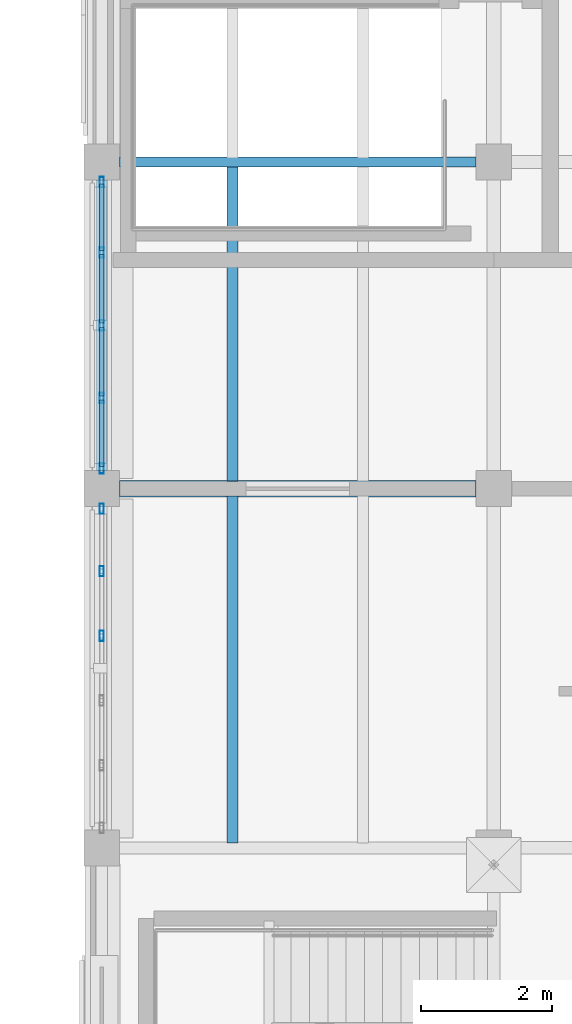
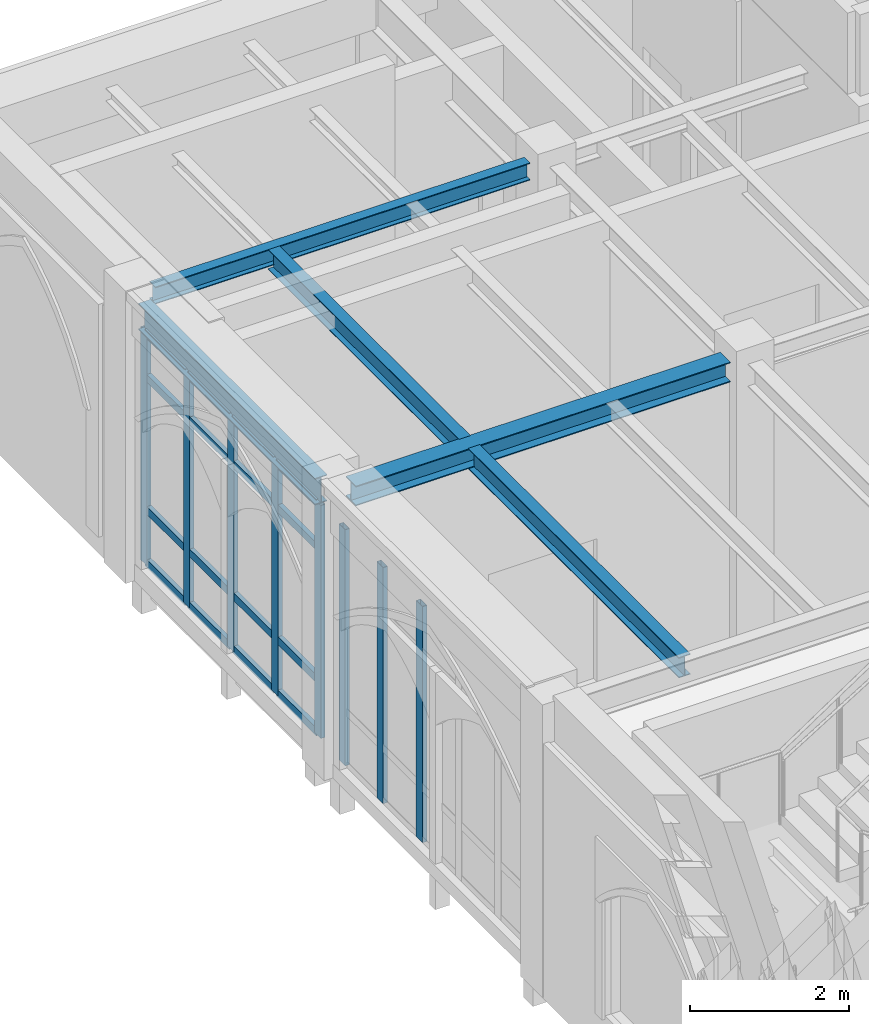
# One storey, part 18 of 108: 24 members, 5 beams, 2 elements without a shape of their own.
"""IFC4 building model written with IfcOpenShell, lengths in metres."""

from ifc_helpers import new_model, si_unit, direction, frame, origin, origin_2d, place, context, subcontext, project, spatial, hollow_rectangle, i_section, extrude, material, layer, layer_set, material_profile, profile_set, type_object, element, aggregate, save


model = new_model("IFC4")

# Units and contexts
model_context = context("Model", 3, precision=1e-05, world=origin(), true_north=direction((0.0, 1.0)))
body_context = subcontext(model_context, "Body", "Model", "MODEL_VIEW")
ifc_project = project(units=[si_unit("LENGTHUNIT", "METRE"), si_unit("AREAUNIT", "SQUARE_METRE"), si_unit("VOLUMEUNIT", "CUBIC_METRE"), si_unit("PLANEANGLEUNIT", "RADIAN"), si_unit("MASSUNIT", "GRAM", prefix="KILO")], contexts=[model_context])

# Site, building, storey
site_placement = place(None, origin())
site = spatial("IfcSite", under=ifc_project, at=site_placement, CompositionType="ELEMENT")
building_placement = place(site_placement, origin())
building = spatial("IfcBuilding", under=site, at=building_placement, Name="Cumevento Cable Car Station", CompositionType="ELEMENT")
storey_placement = place(building_placement, frame((0.0, 0.0, 13.5)))
storey = spatial("IfcBuildingStorey", under=building, at=storey_placement, Name="L04", CompositionType="ELEMENT", Elevation=13.5)

# Curtain wall, members
ifc_material_1 = material(Name="Anodised Bronze Aluminium AW-6063-T6", Category="aluminium")
ifc_layer_1 = layer(ifc_material_1, 0.166015625)
ifc_layer_set_1 = layer_set([ifc_layer_1], Name="Anodised Bronze Aluminium AW-6063-T6")
curtain_wall_type_1 = type_object("IfcCurtainWallType", Name="Lancet Curtain Wall CW-02 1090", PredefinedType="NOTDEFINED", material=ifc_layer_set_1)
curtain_wall_1_placement = place(storey_placement, origin())
curtain_wall_1 = element("IfcCurtainWall", 1, at=curtain_wall_1_placement, inside=storey, type_object=curtain_wall_type_1, Name="Lancet Curtain Wall CW-02 L04 #161", PredefinedType="NOTDEFINED")
ifc_material_2 = material(Name="Anodised Bronze Aluminium AW-6063-T6", Category="aluminium")
ifc_material_profile_1 = material_profile(ifc_material_2, hollow_rectangle(XDim=0.06494140625, YDim=0.159912109375, WallThickness=0.00390625, at=origin_2d()), Name="ALUM65x160x4")
ifc_profile_set_1 = profile_set([ifc_material_profile_1], Name="Anodised Bronze Aluminium AW-6063-T6")
member_type_1 = type_object("IfcMemberType", Name="Curtain Mullion CWM-01 ALUM65x160x4", PredefinedType="MULLION", material=ifc_profile_set_1)
member_1_placement = place(storey_placement, frame((22.0, 54.2451171875, 0.2099609375), z_axis=(0.0, 0.0, 1.0), x_axis=(-1.0, 0.0, 0.0)))
member_1 = element("IfcMember", 2, at=member_1_placement, type_object=member_type_1, Name="CW-02 mullion 4", PredefinedType="MULLION", context=body_context, shape_type="SweptSolid", body=[
    extrude(hollow_rectangle(XDim=0.06494140625, YDim=0.159912109375, WallThickness=0.00390625, at=origin_2d()), origin(), (0.0, 0.0, 1.0), 3.633056640625),
])
member_2_placement = place(storey_placement, frame((22.0, 55.235107421875, 0.2099609375), z_axis=(0.0, 0.0, 1.0), x_axis=(-1.0, 0.0, 0.0)))
member_2 = element("IfcMember", 3, at=member_2_placement, type_object=member_type_1, Name="CW-02 mullion 5", PredefinedType="MULLION", context=body_context, shape_type="SweptSolid", body=[
    extrude(hollow_rectangle(XDim=0.06494140625, YDim=0.159912109375, WallThickness=0.00390625, at=origin_2d()), origin(), (0.0, 0.0, 1.0), 3.633056640625),
])
member_3_placement = place(storey_placement, frame((22.0, 56.1923828125, 0.2099609375), z_axis=(0.0, 0.0, 1.0), x_axis=(-1.0, 0.0, 0.0)))
member_3 = element("IfcMember", 4, at=member_3_placement, type_object=member_type_1, Name="CW-02 mullion 6", PredefinedType="MULLION", context=body_context, shape_type="SweptSolid", body=[
    extrude(hollow_rectangle(XDim=0.06494140625, YDim=0.159912109375, WallThickness=0.00390625, at=origin_2d()), origin(), (0.0, 0.0, 1.0), 3.633056640625),
])
aggregate(curtain_wall_1, [member_1, member_2, member_3])

ifc_material_3 = material(Name="Anodised Bronze Aluminium AW-6063-T6", Category="aluminium")
ifc_layer_2 = layer(ifc_material_3, 0.172119140625)
ifc_layer_set_2 = layer_set([ifc_layer_2], Name="Anodised Bronze Aluminium AW-6063-T6")
curtain_wall_type_2 = type_object("IfcCurtainWallType", Name="Lancet Curtain Wall CW-03 1130", PredefinedType="NOTDEFINED", material=ifc_layer_set_2)
curtain_wall_2_placement = place(storey_placement, origin())
curtain_wall_2 = element("IfcCurtainWall", 5, at=curtain_wall_2_placement, inside=storey, type_object=curtain_wall_type_2, Name="Lancet Curtain Wall CW-03 L04 #162", PredefinedType="NOTDEFINED")
member_4_placement = place(storey_placement, frame((22.0, 56.8076171875, 0.260009765625), z_axis=(0.0, 0.0, 1.0), x_axis=(-1.0, 0.0, 0.0)))
member_4 = element("IfcMember", 6, at=member_4_placement, type_object=member_type_1, Name="CW-03 mullion 1", PredefinedType="MULLION", context=body_context, shape_type="SweptSolid", body=[
    extrude(hollow_rectangle(XDim=0.06494140625, YDim=0.159912109375, WallThickness=0.00390625, at=origin_2d()), origin(), (0.0, 0.0, 1.0), 3.5830078125),
])
member_5_placement = place(storey_placement, frame((22.0, 57.887451171875, 0.260009765625), z_axis=(0.0, 0.0, 1.0), x_axis=(-1.0, 0.0, 0.0)))
member_5 = element("IfcMember", 7, at=member_5_placement, type_object=member_type_1, Name="CW-03 mullion 2", PredefinedType="MULLION", context=body_context, shape_type="SweptSolid", body=[
    extrude(hollow_rectangle(XDim=0.06494140625, YDim=0.159912109375, WallThickness=0.00390625, at=origin_2d()), origin(), (0.0, 0.0, 1.0), 3.5830078125),
])
member_6_placement = place(storey_placement, frame((22.0, 59.0, 0.260009765625), z_axis=(0.0, 0.0, 1.0), x_axis=(-1.0, 0.0, 0.0)))
member_6 = element("IfcMember", 8, at=member_6_placement, type_object=member_type_1, Name="CW-03 mullion 3", PredefinedType="MULLION", context=body_context, shape_type="SweptSolid", body=[
    extrude(hollow_rectangle(XDim=0.06494140625, YDim=0.159912109375, WallThickness=0.00390625, at=origin_2d()), origin(), (0.0, 0.0, 1.0), 3.5830078125),
])
member_7_placement = place(storey_placement, frame((22.0, 60.112548828125, 0.260009765625), z_axis=(0.0, 0.0, 1.0), x_axis=(-1.0, 0.0, 0.0)))
member_7 = element("IfcMember", 9, at=member_7_placement, type_object=member_type_1, Name="CW-03 mullion 4", PredefinedType="MULLION", context=body_context, shape_type="SweptSolid", body=[
    extrude(hollow_rectangle(XDim=0.06494140625, YDim=0.159912109375, WallThickness=0.00390625, at=origin_2d()), origin(), (0.0, 0.0, 1.0), 3.5830078125),
])
member_8_placement = place(storey_placement, frame((22.0, 61.1923828125, 0.260009765625), z_axis=(0.0, 0.0, 1.0), x_axis=(-1.0, 0.0, 0.0)))
member_8 = element("IfcMember", 10, at=member_8_placement, type_object=member_type_1, Name="CW-03 mullion 5", PredefinedType="MULLION", context=body_context, shape_type="SweptSolid", body=[
    extrude(hollow_rectangle(XDim=0.06494140625, YDim=0.159912109375, WallThickness=0.00390625, at=origin_2d()), origin(), (0.0, 0.0, 1.0), 3.5830078125),
])
ifc_material_4 = material(Name="Anodised Bronze Aluminium AW-6063-T6", Category="aluminium")
ifc_material_profile_2 = material_profile(ifc_material_4, hollow_rectangle(XDim=0.06494140625, YDim=0.1201171875, WallThickness=0.00390625, at=origin_2d()), Name="ALUT65x120x4")
ifc_profile_set_2 = profile_set([ifc_material_profile_2], Name="Anodised Bronze Aluminium AW-6063-T6")
member_type_2 = type_object("IfcMemberType", Name="Curtain Transom CWT-01 ALUT65x120x4", PredefinedType="USERDEFINED", material=ifc_profile_set_2)
member_9_placement = place(storey_placement, frame((22.0, 56.840087890625, 0.29248046875), z_axis=(0.0, 1.0, 0.0), x_axis=(-1.0, 0.0, 0.0)))
member_9 = element("IfcMember", 11, at=member_9_placement, type_object=member_type_2, Name="CW-03 transom 1.1", ObjectType="TRANSOM", PredefinedType="USERDEFINED", context=body_context, shape_type="SweptSolid", body=[
    extrude(hollow_rectangle(XDim=0.06494140625, YDim=0.1201171875, WallThickness=0.00390625, at=origin_2d()), origin(), (0.0, 0.0, 1.0), 1.014892578125),
])
member_10_placement = place(storey_placement, frame((22.0, 56.840087890625, 1.110107421875), z_axis=(0.0, 1.0, 0.0), x_axis=(-1.0, 0.0, 0.0)))
member_10 = element("IfcMember", 12, at=member_10_placement, type_object=member_type_2, Name="CW-03 transom 1.2", ObjectType="TRANSOM", PredefinedType="USERDEFINED", context=body_context, shape_type="SweptSolid", body=[
    extrude(hollow_rectangle(XDim=0.06494140625, YDim=0.1201171875, WallThickness=0.00390625, at=origin_2d()), origin(), (0.0, 0.0, 1.0), 1.014892578125),
])
member_11_placement = place(storey_placement, frame((22.0, 56.840087890625, 3.14306640625), z_axis=(0.0, 1.0, 0.0), x_axis=(-1.0, 0.0, 0.0)))
member_11 = element("IfcMember", 13, at=member_11_placement, type_object=member_type_2, Name="CW-03 transom 1.3", ObjectType="TRANSOM", PredefinedType="USERDEFINED", context=body_context, shape_type="SweptSolid", body=[
    extrude(hollow_rectangle(XDim=0.06494140625, YDim=0.1201171875, WallThickness=0.00390625, at=origin_2d()), origin(), (0.0, 0.0, 1.0), 1.014892578125),
])
member_12_placement = place(storey_placement, frame((22.0, 56.840087890625, 3.810546875), z_axis=(0.0, 1.0, 0.0), x_axis=(-1.0, 0.0, 0.0)))
member_12 = element("IfcMember", 14, at=member_12_placement, type_object=member_type_2, Name="CW-03 transom 1.4", ObjectType="TRANSOM", PredefinedType="USERDEFINED", context=body_context, shape_type="SweptSolid", body=[
    extrude(hollow_rectangle(XDim=0.06494140625, YDim=0.1201171875, WallThickness=0.00390625, at=origin_2d()), origin(), (0.0, 0.0, 1.0), 1.014892578125),
])
member_13_placement = place(storey_placement, frame((22.0, 57.919921875, 0.29248046875), z_axis=(0.0, 1.0, 0.0), x_axis=(-1.0, 0.0, 0.0)))
member_13 = element("IfcMember", 15, at=member_13_placement, type_object=member_type_2, Name="CW-03 transom 2.1", ObjectType="TRANSOM", PredefinedType="USERDEFINED", context=body_context, shape_type="SweptSolid", body=[
    extrude(hollow_rectangle(XDim=0.06494140625, YDim=0.1201171875, WallThickness=0.00390625, at=origin_2d()), origin(), (0.0, 0.0, 1.0), 1.047607421875),
])
member_14_placement = place(storey_placement, frame((22.0, 57.919921875, 1.110107421875), z_axis=(0.0, 1.0, 0.0), x_axis=(-1.0, 0.0, 0.0)))
member_14 = element("IfcMember", 16, at=member_14_placement, type_object=member_type_2, Name="CW-03 transom 2.2", ObjectType="TRANSOM", PredefinedType="USERDEFINED", context=body_context, shape_type="SweptSolid", body=[
    extrude(hollow_rectangle(XDim=0.06494140625, YDim=0.1201171875, WallThickness=0.00390625, at=origin_2d()), origin(), (0.0, 0.0, 1.0), 1.047607421875),
])
member_15_placement = place(storey_placement, frame((22.0, 57.919921875, 3.14306640625), z_axis=(0.0, 1.0, 0.0), x_axis=(-1.0, 0.0, 0.0)))
member_15 = element("IfcMember", 17, at=member_15_placement, type_object=member_type_2, Name="CW-03 transom 2.3", ObjectType="TRANSOM", PredefinedType="USERDEFINED", context=body_context, shape_type="SweptSolid", body=[
    extrude(hollow_rectangle(XDim=0.06494140625, YDim=0.1201171875, WallThickness=0.00390625, at=origin_2d()), origin(), (0.0, 0.0, 1.0), 1.047607421875),
])
member_16_placement = place(storey_placement, frame((22.0, 57.919921875, 3.810546875), z_axis=(0.0, 1.0, 0.0), x_axis=(-1.0, 0.0, 0.0)))
member_16 = element("IfcMember", 18, at=member_16_placement, type_object=member_type_2, Name="CW-03 transom 2.4", ObjectType="TRANSOM", PredefinedType="USERDEFINED", context=body_context, shape_type="SweptSolid", body=[
    extrude(hollow_rectangle(XDim=0.06494140625, YDim=0.1201171875, WallThickness=0.00390625, at=origin_2d()), origin(), (0.0, 0.0, 1.0), 1.047607421875),
])
member_17_placement = place(storey_placement, frame((22.0, 59.032470703125, 0.29248046875), z_axis=(0.0, 1.0, 0.0), x_axis=(-1.0, 0.0, 0.0)))
member_17 = element("IfcMember", 19, at=member_17_placement, type_object=member_type_2, Name="CW-03 transom 3.1", ObjectType="TRANSOM", PredefinedType="USERDEFINED", context=body_context, shape_type="SweptSolid", body=[
    extrude(hollow_rectangle(XDim=0.06494140625, YDim=0.1201171875, WallThickness=0.00390625, at=origin_2d()), origin(), (0.0, 0.0, 1.0), 1.047607421875),
])
member_18_placement = place(storey_placement, frame((22.0, 59.032470703125, 1.110107421875), z_axis=(0.0, 1.0, 0.0), x_axis=(-1.0, 0.0, 0.0)))
member_18 = element("IfcMember", 20, at=member_18_placement, type_object=member_type_2, Name="CW-03 transom 3.2", ObjectType="TRANSOM", PredefinedType="USERDEFINED", context=body_context, shape_type="SweptSolid", body=[
    extrude(hollow_rectangle(XDim=0.06494140625, YDim=0.1201171875, WallThickness=0.00390625, at=origin_2d()), origin(), (0.0, 0.0, 1.0), 1.047607421875),
])
member_19_placement = place(storey_placement, frame((22.0, 59.032470703125, 3.14306640625), z_axis=(0.0, 1.0, 0.0), x_axis=(-1.0, 0.0, 0.0)))
member_19 = element("IfcMember", 21, at=member_19_placement, type_object=member_type_2, Name="CW-03 transom 3.3", ObjectType="TRANSOM", PredefinedType="USERDEFINED", context=body_context, shape_type="SweptSolid", body=[
    extrude(hollow_rectangle(XDim=0.06494140625, YDim=0.1201171875, WallThickness=0.00390625, at=origin_2d()), origin(), (0.0, 0.0, 1.0), 1.047607421875),
])
member_20_placement = place(storey_placement, frame((22.0, 59.032470703125, 3.810546875), z_axis=(0.0, 1.0, 0.0), x_axis=(-1.0, 0.0, 0.0)))
member_20 = element("IfcMember", 22, at=member_20_placement, type_object=member_type_2, Name="CW-03 transom 3.4", ObjectType="TRANSOM", PredefinedType="USERDEFINED", context=body_context, shape_type="SweptSolid", body=[
    extrude(hollow_rectangle(XDim=0.06494140625, YDim=0.1201171875, WallThickness=0.00390625, at=origin_2d()), origin(), (0.0, 0.0, 1.0), 1.047607421875),
])
member_21_placement = place(storey_placement, frame((22.0, 60.14501953125, 0.29248046875), z_axis=(0.0, 1.0, 0.0), x_axis=(-1.0, 0.0, 0.0)))
member_21 = element("IfcMember", 23, at=member_21_placement, type_object=member_type_2, Name="CW-03 transom 4.1", ObjectType="TRANSOM", PredefinedType="USERDEFINED", context=body_context, shape_type="SweptSolid", body=[
    extrude(hollow_rectangle(XDim=0.06494140625, YDim=0.1201171875, WallThickness=0.00390625, at=origin_2d()), origin(), (0.0, 0.0, 1.0), 1.014892578125),
])
member_22_placement = place(storey_placement, frame((22.0, 60.14501953125, 1.110107421875), z_axis=(0.0, 1.0, 0.0), x_axis=(-1.0, 0.0, 0.0)))
member_22 = element("IfcMember", 24, at=member_22_placement, type_object=member_type_2, Name="CW-03 transom 4.2", ObjectType="TRANSOM", PredefinedType="USERDEFINED", context=body_context, shape_type="SweptSolid", body=[
    extrude(hollow_rectangle(XDim=0.06494140625, YDim=0.1201171875, WallThickness=0.00390625, at=origin_2d()), origin(), (0.0, 0.0, 1.0), 1.014892578125),
])
member_23_placement = place(storey_placement, frame((22.0, 60.14501953125, 3.14306640625), z_axis=(0.0, 1.0, 0.0), x_axis=(-1.0, 0.0, 0.0)))
member_23 = element("IfcMember", 25, at=member_23_placement, type_object=member_type_2, Name="CW-03 transom 4.3", ObjectType="TRANSOM", PredefinedType="USERDEFINED", context=body_context, shape_type="SweptSolid", body=[
    extrude(hollow_rectangle(XDim=0.06494140625, YDim=0.1201171875, WallThickness=0.00390625, at=origin_2d()), origin(), (0.0, 0.0, 1.0), 1.014892578125),
])
member_24_placement = place(storey_placement, frame((22.0, 60.14501953125, 3.810546875), z_axis=(0.0, 1.0, 0.0), x_axis=(-1.0, 0.0, 0.0)))
member_24 = element("IfcMember", 26, at=member_24_placement, type_object=member_type_2, Name="CW-03 transom 4.4", ObjectType="TRANSOM", PredefinedType="USERDEFINED", context=body_context, shape_type="SweptSolid", body=[
    extrude(hollow_rectangle(XDim=0.06494140625, YDim=0.1201171875, WallThickness=0.00390625, at=origin_2d()), origin(), (0.0, 0.0, 1.0), 1.014892578125),
])
aggregate(curtain_wall_2, [member_4, member_5, member_6, member_7, member_8, member_9, member_10, member_11, member_12, member_13, member_14, member_15, member_16, member_17, member_18, member_19, member_20, member_21, member_22, member_23, member_24])

# Beams
ifc_material_5 = material(Name="Steel ASTM A572 Grade 50", Category="steel")
ifc_material_profile_3 = material_profile(ifc_material_5, i_section(OverallWidth=0.25390625, OverallDepth=0.305908203125, WebThickness=0.0087890625, FlangeThickness=0.0146484375, at=origin_2d()), Name="W310x79.0")
ifc_profile_set_3 = profile_set([ifc_material_profile_3], Name="Steel ASTM A572 Grade 50")
beam_type_1 = type_object("IfcBeamType", Name="Structural Beam BM-06 W310x79.0", PredefinedType="BEAM", material=ifc_profile_set_3)
beam_1_placement = place(storey_placement, frame((22.27490234375, 56.5, 4.096923828125), z_axis=(1.0, 0.0, 0.0), x_axis=(0.0, 1.0, 0.0)))
element("IfcBeam", 27, at=beam_1_placement, inside=storey, type_object=beam_type_1, Name="Beam BM-06 L04 #1387", PredefinedType="BEAM", context=body_context, shape_type="SweptSolid", body=[
    extrude(i_section(OverallWidth=0.25390625, OverallDepth=0.305908203125, WebThickness=0.0087890625, FlangeThickness=0.0146484375, at=origin_2d()), origin(), (0.0, 0.0, 1.0), 5.4501953125),
])
ifc_material_6 = material(Name="Steel ASTM A572 Grade 50", Category="steel")
ifc_material_profile_4 = material_profile(ifc_material_6, i_section(OverallWidth=0.14794921875, OverallDepth=0.26611328125, WebThickness=0.007568359375, FlangeThickness=0.012939453125, at=origin_2d()), Name="W250x44.8")
ifc_profile_set_4 = profile_set([ifc_material_profile_4], Name="Steel ASTM A572 Grade 50")
beam_type_2 = type_object("IfcBeamType", Name="Structural Beam BM-07 W250x44.8", PredefinedType="BEAM", material=ifc_profile_set_4)
beam_2_placement = place(storey_placement, frame((22.27490234375, 61.5, 4.116943359375), z_axis=(1.0, 0.0, 0.0), x_axis=(0.0, 1.0, 0.0)))
element("IfcBeam", 28, at=beam_2_placement, inside=storey, type_object=beam_type_2, Name="Beam BM-07 L04 #1404", PredefinedType="BEAM", context=body_context, shape_type="SweptSolid", body=[
    extrude(i_section(OverallWidth=0.14794921875, OverallDepth=0.26611328125, WebThickness=0.007568359375, FlangeThickness=0.012939453125, at=origin_2d()), origin(), (0.0, 0.0, 1.0), 5.4501953125),
])
ifc_material_7 = material(Name="Steel ASTM A572 Grade 50", Category="steel")
ifc_material_profile_5 = material_profile(ifc_material_7, i_section(OverallWidth=0.1669921875, OverallDepth=0.31689453125, WebThickness=0.007568359375, FlangeThickness=0.01318359375, at=origin_2d()), Name="W310x52.0")
ifc_profile_set_5 = profile_set([ifc_material_profile_5], Name="Steel ASTM A572 Grade 50")
beam_type_3 = type_object("IfcBeamType", Name="Structural Joist JS-02 W310x52.0", PredefinedType="JOIST", material=ifc_profile_set_5)
beam_3_placement = place(storey_placement, frame((24.0, 51.077880859375, 4.091552734375), z_axis=(0.0, 1.0, 0.0), x_axis=(-1.0, 0.0, 0.0)))
element("IfcBeam", 29, at=beam_3_placement, inside=storey, type_object=beam_type_3, Name="Composite Floor Joist JS-02 L04 #1513", PredefinedType="JOIST", context=body_context, shape_type="SweptSolid", body=[
    extrude(i_section(OverallWidth=0.1669921875, OverallDepth=0.31689453125, WebThickness=0.007568359375, FlangeThickness=0.01318359375, at=origin_2d()), origin(), (0.0, 0.0, 1.0), 5.30712890625),
])
ifc_material_8 = material(Name="Steel ASTM A572 Grade 50", Category="steel")
ifc_material_profile_6 = material_profile(ifc_material_8, i_section(OverallWidth=0.1650390625, OverallDepth=0.31005859375, WebThickness=0.005859375, FlangeThickness=0.009765625, at=origin_2d()), Name="W310x38.7")
ifc_profile_set_6 = profile_set([ifc_material_profile_6], Name="Steel ASTM A572 Grade 50")
beam_type_4 = type_object("IfcBeamType", Name="Structural Joist JS-03 W310x38.7", PredefinedType="JOIST", material=ifc_profile_set_6)
beam_4_placement = place(storey_placement, frame((24.0, 56.614990234375, 4.094970703125), z_axis=(0.0, 1.0, 0.0), x_axis=(-1.0, 0.0, 0.0)))
element("IfcBeam", 30, at=beam_4_placement, inside=storey, type_object=beam_type_4, Name="Composite Floor Joist JS-03 L04 #1531", PredefinedType="JOIST", context=body_context, shape_type="SweptSolid", body=[
    extrude(i_section(OverallWidth=0.1650390625, OverallDepth=0.31005859375, WebThickness=0.005859375, FlangeThickness=0.009765625, at=origin_2d()), origin(), (0.0, 0.0, 1.0), 4.822998046875),
])
ifc_material_9 = material(Name="Steel ASTM A572 Grade 50", Category="steel")
ifc_material_profile_7 = material_profile(ifc_material_9, i_section(OverallWidth=0.177978515625, OverallDepth=0.406982421875, WebThickness=0.0078125, FlangeThickness=0.0126953125, at=origin_2d()), Name="W410x60.0")
ifc_profile_set_7 = profile_set([ifc_material_profile_7], Name="Steel ASTM A572 Grade 50")
beam_type_5 = type_object("IfcBeamType", Name="Structural Spandrel SP-01 W410x60.0", PredefinedType="SPANDREL", material=ifc_profile_set_7)
beam_5_placement = place(storey_placement, frame((22.0, 56.77490234375, 4.04638671875), z_axis=(0.0, 1.0, 0.0), x_axis=(-1.0, 0.0, 0.0)))
element("IfcBeam", 31, at=beam_5_placement, inside=storey, type_object=beam_type_5, Name="Beam SP-01 L04 #1408", PredefinedType="SPANDREL", context=body_context, shape_type="SweptSolid", body=[
    extrude(i_section(OverallWidth=0.177978515625, OverallDepth=0.406982421875, WebThickness=0.0078125, FlangeThickness=0.0126953125, at=origin_2d()), origin(), (0.0, 0.0, 1.0), 4.4501953125),
])

save(model, "model.ifc")
